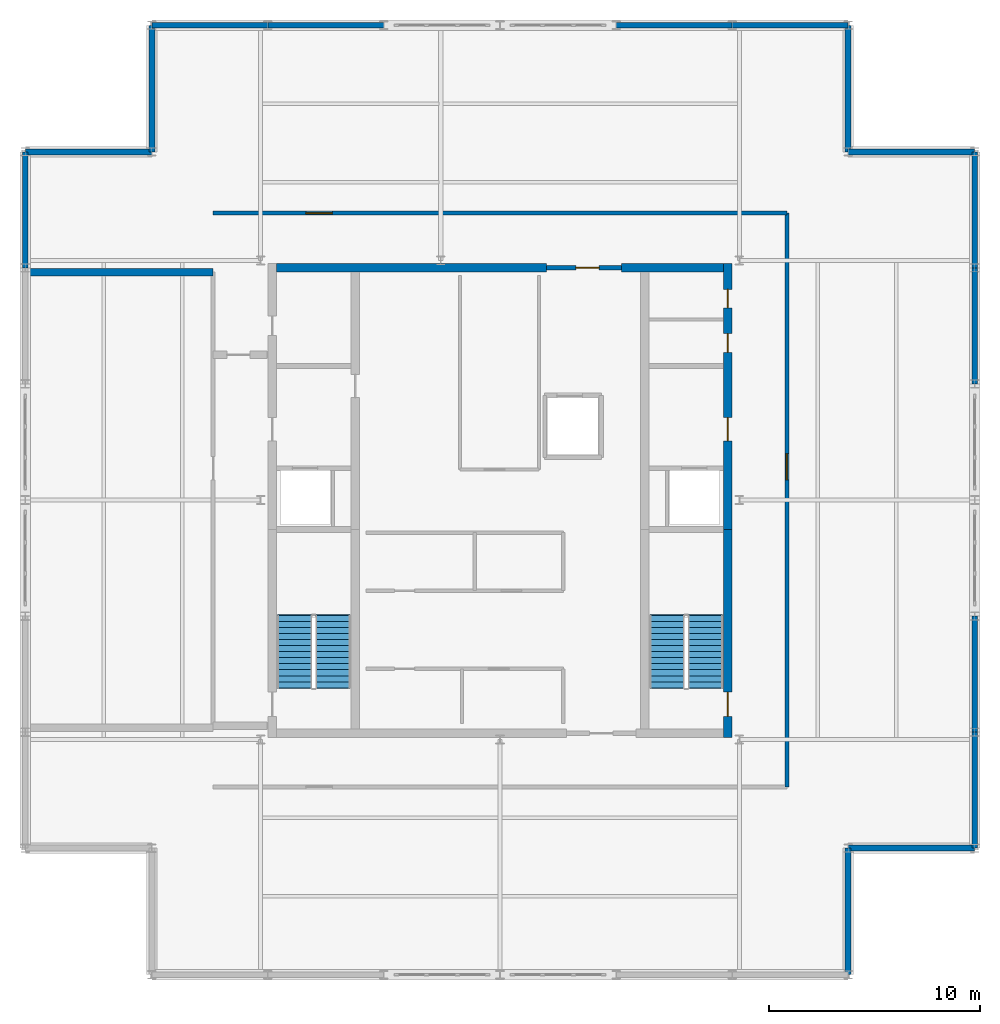
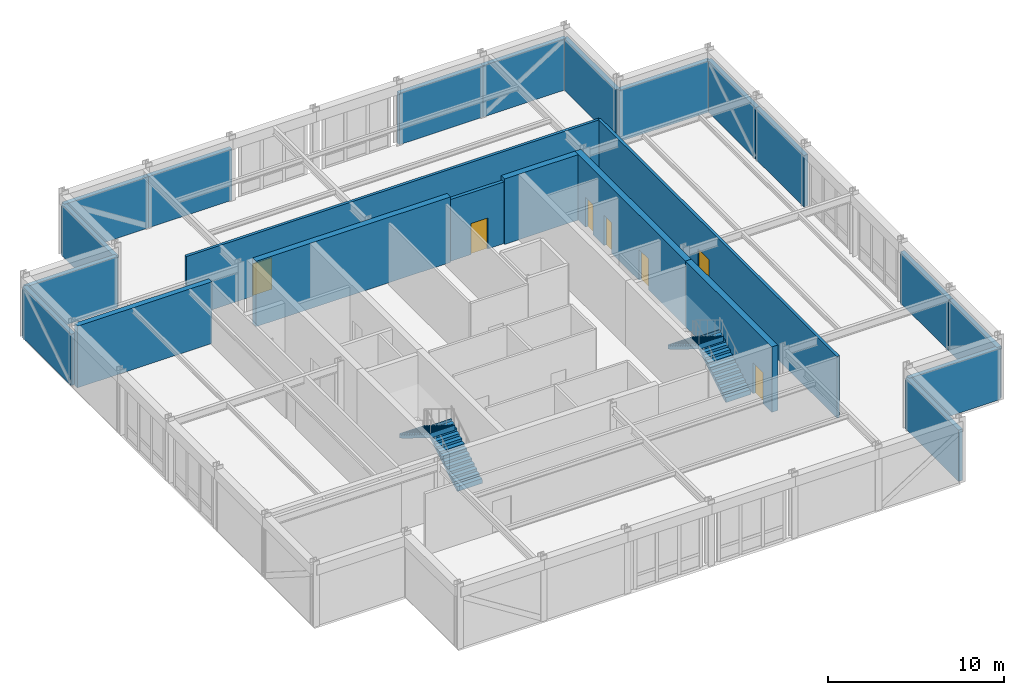
# One storey, part 8 of 9: 23 walls, 7 doors, 4 stair flights, 7 openings, 2 elements without a shape of their own.
"""IFC4 building model written with IfcOpenShell, lengths in metres."""

from ifc_helpers import new_model, si_unit, direction, frame, frame_2d, origin, place, context, subcontext, project, spatial, polyline, rectangle, outline, extrude, material, layer, layer_set, type_object, element, fill, aggregate, save


model = new_model("IFC4")

# Units and contexts
model_context = context("Model", 3, precision=1e-05, world=origin(), true_north=direction((0.0, 1.0)))
body_context = subcontext(model_context, "Body", "Model", "MODEL_VIEW")
ifc_project = project(units=[si_unit("LENGTHUNIT", "METRE"), si_unit("AREAUNIT", "SQUARE_METRE"), si_unit("VOLUMEUNIT", "CUBIC_METRE"), si_unit("PLANEANGLEUNIT", "RADIAN"), si_unit("MASSUNIT", "GRAM", prefix="KILO")], contexts=[model_context])

# Site, building, storey
site_placement = place(None, origin())
site = spatial("IfcSite", under=ifc_project, at=site_placement, CompositionType="ELEMENT")
building_placement = place(site_placement, origin())
building = spatial("IfcBuilding", under=site, at=building_placement, Name="Nhamokura Convention Tower", CompositionType="ELEMENT")
storey_placement = place(building_placement, frame((0.0, 0.0, 322.35009765625)))
storey = spatial("IfcBuildingStorey", under=building, at=storey_placement, Name="L79", CompositionType="ELEMENT", Elevation=322.35009765625)

# Walls
ifc_material_1 = material(Name="Bronze-pigmented precast concrete C45/55", Category="concrete")
ifc_layer_1 = layer(ifc_material_1, 0.280029296875)
ifc_layer_set_1 = layer_set([ifc_layer_1], Name="BronzePrecastSpandrel_280")
wall_type_1 = type_object("IfcWallType", Name="BronzePrecastSpandrel_280", PredefinedType="USERDEFINED", material=ifc_layer_set_1)
for number, where, z_axis, x_axis, name in (
    (1, (15.5, 54.5, 0.0), (0.0, 0.0, 1.0), (1.0, 0.0, 0.0), "L79 Crown Wall NORTH 0"),
    (2, (21.0, 54.5, 0.0), (0.0, 0.0, 1.0), (1.0, 0.0, 0.0), "L79 Crown Wall NORTH 1"),
    (3, (37.5, 54.5, 0.0), (0.0, 0.0, 1.0), (1.0, 0.0, 0.0), "L79 Crown Wall NORTH 4"),
    (4, (43.0, 54.5, 0.0), (0.0, 0.0, 1.0), (1.0, 0.0, 0.0), "L79 Crown Wall NORTH 5"),
    (5, (9.5, 43.0, 0.0), (0.0, 0.0, 1.0), (0.0, 1.0, 0.0), "L79 Crown Wall WEST 5"),
    (6, (54.5, 21.0, 0.0), (0.0, 0.0, 1.0), (0.0, -1.0, 0.0), "L79 Crown Wall EAST 0"),
    (7, (54.5, 26.5, 0.0), (0.0, 0.0, 1.0), (0.0, -1.0, 0.0), "L79 Crown Wall EAST 1"),
    (8, (54.5, 43.0, 0.0), (0.0, 0.0, 1.0), (0.0, -1.0, 0.0), "L79 Crown Wall EAST 4"),
    (9, (54.5, 48.5, 0.0), (0.0, 0.0, 1.0), (0.0, -1.0, 0.0), "L79 Crown Wall EAST 5"),
):
    element("IfcWall", number, at=place(storey_placement, frame(where, z_axis=z_axis, x_axis=x_axis)), inside=storey, type_object=wall_type_1, Name=name, ObjectType="SPANDREL_WALL", PredefinedType="USERDEFINED", context=body_context, shape_type="SweptSolid", body=[
        extrude(rectangle(XDim=5.5, YDim=0.280029296875, at=frame_2d((2.75, 0.0))), origin(), (0.0, 0.0, 1.0), 3.56982421875),
    ])
for number, where, z_axis, x_axis, name in (
    (10, (48.5, 15.5, 0.0), (0.0, 0.0, 1.0), (0.0, -1.0, 0.0), "L79 Crown Notch Wall SE1"),
    (11, (54.5, 15.5, 0.0), (0.0, 0.0, 1.0), (-1.0, 0.0, 0.0), "L79 Crown Notch Wall SE2"),
    (12, (48.5, 48.5, 0.0), (0.0, 0.0, 1.0), (1.0, 0.0, 0.0), "L79 Crown Notch Wall NE1"),
    (13, (48.5, 54.5, 0.0), (0.0, 0.0, 1.0), (0.0, -1.0, 0.0), "L79 Crown Notch Wall NE2"),
    (14, (15.5, 48.5, 0.0), (0.0, 0.0, 1.0), (0.0, 1.0, 0.0), "L79 Crown Notch Wall NW1"),
    (15, (9.5, 48.5, 0.0), (0.0, 0.0, 1.0), (1.0, 0.0, 0.0), "L79 Crown Notch Wall NW2"),
):
    element("IfcWall", number, at=place(storey_placement, frame(where, z_axis=z_axis, x_axis=x_axis)), inside=storey, type_object=wall_type_1, Name=name, ObjectType="SPANDREL_WALL", PredefinedType="USERDEFINED", context=body_context, shape_type="SweptSolid", body=[
        extrude(rectangle(XDim=6.0, YDim=0.280029296875, at=frame_2d((3.0, 0.0))), origin(), (0.0, 0.0, 1.0), 3.56982421875),
    ])

# Wall, opening, door
ifc_material_2 = material(Name="Concrete C50/60", Category="concrete")
ifc_layer_2 = layer(ifc_material_2, 0.39990234375)
ifc_layer_set_2 = layer_set([ifc_layer_2], Name="CoreShearWall_400")
wall_type_2 = type_object("IfcWallType", Name="CoreShearWall_400", PredefinedType="SHEAR", material=ifc_layer_set_2)
wall_1_placement = place(storey_placement, frame((42.7900390625, 20.75, 0.0), z_axis=(0.0, 0.0, 1.0), x_axis=(0.0, 1.0, 0.0)))
wall_1 = element("IfcWall", 16, at=wall_1_placement, inside=storey, type_object=wall_type_2, Name="L79 Core Shear Wall CW-ES", PredefinedType="SHEAR", context=body_context, shape_type="SweptSolid", body=[
    extrude(rectangle(XDim=9.85009765625, YDim=0.39990234375, at=frame_2d((4.925048828125, 0.0))), origin(), (0.0, 0.0, 1.0), 4.5498046875),
])
opening_1_placement = place(wall_1_placement, frame((1.0, 0.0, 0.0)))
opening_1 = element("IfcOpeningElement", 17, at=opening_1_placement, cuts=wall_1, Name="Opening D-04", PredefinedType="OPENING", context=body_context, shape_type="SweptSolid", body=[
    extrude(rectangle(XDim=1.14990234375, YDim=2.14990234375, at=frame_2d((0.574951171875, 1.074951171875))), frame((0.0, 0.2099609375, 0.0), z_axis=(0.0, -1.0, 0.0), x_axis=(1.0, 0.0, 0.0)), (0.0, 0.0, 1.0), 0.419921875),
])
ifc_material_3 = material(Name="Fire-rated steel door", Category="steel")
door_type_1 = type_object("IfcDoorType", Name="StairSmokeDoor_1150", OperationType="NOTDEFINED", PredefinedType="DOOR", material=ifc_material_3)
door_1_placement = place(opening_1_placement, origin())
door_1 = element("IfcDoor", 18, at=door_1_placement, inside=storey, type_object=door_type_1, Name="L79 Core Door INT-L79-D-ST02", OperationType="SINGLE_SWING_RIGHT", OverallHeight=2.14990234375, OverallWidth=1.14990234375, PredefinedType="DOOR", context=body_context, shape_type="SweptSolid", body=[
    extrude(rectangle(XDim=1.14990234375, YDim=2.14990234375, at=frame_2d((0.574951171875, 1.074951171875))), frame((0.0, 0.02490234375, 0.0), z_axis=(0.0, -1.0, 0.0), x_axis=(1.0, 0.0, 0.0)), (0.0, 0.0, 1.0), 0.050048828125),
])
fill(opening_1, door_1)

# Wall, openings, doors
wall_2_placement = place(storey_placement, frame((42.7900390625, 30.60009765625, 0.0), z_axis=(0.0, 0.0, 1.0), x_axis=(0.0, 1.0, 0.0)))
wall_2 = element("IfcWall", 19, at=wall_2_placement, inside=storey, type_object=wall_type_2, Name="L79 Core Shear Wall CW-EN", PredefinedType="SHEAR", context=body_context, shape_type="SweptSolid", body=[
    extrude(rectangle(XDim=12.599853515625, YDim=0.39990234375, at=frame_2d((6.2998046875, 0.0))), origin(), (0.0, 0.0, 1.0), 4.5498046875),
])
opening_2_placement = place(wall_2_placement, frame((4.199951171875, 0.0, 0.0)))
opening_2 = element("IfcOpeningElement", 20, at=opening_2_placement, cuts=wall_2, Name="Opening D-05", PredefinedType="OPENING", context=body_context, shape_type="SweptSolid", body=[
    extrude(rectangle(XDim=1.10009765625, YDim=2.14990234375, at=frame_2d((0.550048828125, 1.074951171875))), frame((0.0, 0.2099609375, 0.0), z_axis=(0.0, -1.0, 0.0), x_axis=(1.0, 0.0, 0.0)), (0.0, 0.0, 1.0), 0.419921875),
])
opening_3_placement = place(wall_2_placement, frame((8.39990234375, 0.0, 0.0)))
opening_3 = element("IfcOpeningElement", 21, at=opening_3_placement, cuts=wall_2, Name="Opening D-11", PredefinedType="OPENING", context=body_context, shape_type="SweptSolid", body=[
    extrude(rectangle(XDim=0.8798828125, YDim=2.10009765625, at=frame_2d((0.43994140625, 1.050048828125))), frame((0.0, 0.2099609375, 0.0), z_axis=(0.0, -1.0, 0.0), x_axis=(1.0, 0.0, 0.0)), (0.0, 0.0, 1.0), 0.419921875),
])
opening_4_placement = place(wall_2_placement, frame((10.5, 0.0, 0.0)))
opening_4 = element("IfcOpeningElement", 22, at=opening_4_placement, cuts=wall_2, Name="Opening D-11", PredefinedType="OPENING", context=body_context, shape_type="SweptSolid", body=[
    extrude(rectangle(XDim=0.8798828125, YDim=2.10009765625, at=frame_2d((0.43994140625, 1.050048828125))), frame((0.0, 0.2099609375, 0.0), z_axis=(0.0, -1.0, 0.0), x_axis=(1.0, 0.0, 0.0)), (0.0, 0.0, 1.0), 0.419921875),
])
ifc_material_4 = material(Name="Solid oak hardwood", Category="wood")
door_type_2 = type_object("IfcDoorType", Name="BathroomDoor_880", OperationType="NOTDEFINED", PredefinedType="DOOR", material=ifc_material_4)
door_2_placement = place(opening_3_placement, origin())
door_2 = element("IfcDoor", 23, at=door_2_placement, inside=storey, type_object=door_type_2, Name="L79 Core Door INT-L79-D-MWC", OperationType="SINGLE_SWING_RIGHT", OverallHeight=2.10009765625, OverallWidth=0.8798828125, PredefinedType="DOOR", context=body_context, shape_type="SweptSolid", body=[
    extrude(rectangle(XDim=0.8798828125, YDim=2.10009765625, at=frame_2d((0.43994140625, 1.050048828125))), frame((0.0, 0.02490234375, 0.0), z_axis=(0.0, -1.0, 0.0), x_axis=(1.0, 0.0, 0.0)), (0.0, 0.0, 1.0), 0.050048828125),
])
fill(opening_3, door_2)
door_3_placement = place(opening_4_placement, origin())
door_3 = element("IfcDoor", 24, at=door_3_placement, inside=storey, type_object=door_type_2, Name="L79 Core Door INT-L79-D-FWC", OperationType="SINGLE_SWING_LEFT", OverallHeight=2.10009765625, OverallWidth=0.8798828125, PredefinedType="DOOR", context=body_context, shape_type="SweptSolid", body=[
    extrude(rectangle(XDim=0.8798828125, YDim=2.10009765625, at=frame_2d((0.43994140625, 1.050048828125))), frame((0.0, 0.02490234375, 0.0), z_axis=(0.0, -1.0, 0.0), x_axis=(1.0, 0.0, 0.0)), (0.0, 0.0, 1.0), 0.050048828125),
])
fill(opening_4, door_3)
ifc_material_5 = material(Name="Fire-rated steel door", Category="steel")
door_type_3 = type_object("IfcDoorType", Name="FireLobbyDoor_1100", OperationType="NOTDEFINED", PredefinedType="DOOR", material=ifc_material_5)
door_4_placement = place(opening_2_placement, origin())
door_4 = element("IfcDoor", 25, at=door_4_placement, inside=storey, type_object=door_type_3, Name="L79 Core Door INT-L79-D-FFLE", OperationType="SINGLE_SWING_LEFT", OverallHeight=2.14990234375, OverallWidth=1.10009765625, PredefinedType="DOOR", context=body_context, shape_type="SweptSolid", body=[
    extrude(rectangle(XDim=1.10009765625, YDim=2.14990234375, at=frame_2d((0.550048828125, 1.074951171875))), frame((0.0, 0.02490234375, 0.0), z_axis=(0.0, -1.0, 0.0), x_axis=(1.0, 0.0, 0.0)), (0.0, 0.0, 1.0), 0.050048828125),
])
fill(opening_2, door_4)

# Walls
wall_3_placement = place(storey_placement, frame((21.409912109375, 43.0, 0.0), z_axis=(0.0, 0.0, 1.0), x_axis=(1.0, 0.0, 0.0)))
element("IfcWall", 26, at=wall_3_placement, inside=storey, type_object=wall_type_2, Name="L79 Core Shear Wall CW-N1", PredefinedType="SHEAR", context=body_context, shape_type="SweptSolid", body=[
    extrude(rectangle(XDim=12.7900390625, YDim=0.39990234375, at=frame_2d((6.39501953125, 0.0))), origin(), (0.0, 0.0, 1.0), 4.5498046875),
])
wall_4_placement = place(storey_placement, frame((37.75, 43.0, 0.0), z_axis=(0.0, 0.0, 1.0), x_axis=(1.0, 0.0, 0.0)))
element("IfcWall", 27, at=wall_4_placement, inside=storey, type_object=wall_type_2, Name="L79 Core Shear Wall CW-N2", PredefinedType="SHEAR", context=body_context, shape_type="SweptSolid", body=[
    extrude(rectangle(XDim=4.840087890625, YDim=0.39990234375, at=frame_2d((2.419921875, 0.0))), origin(), (0.0, 0.0, 1.0), 4.5498046875),
])

# Wall, opening, door
ifc_material_6 = material(Name="Fire-rated gypsum and masonry partition", Category="masonry")
ifc_layer_3 = layer(ifc_material_6, 0.179931640625)
ifc_layer_set_3 = layer_set([ifc_layer_3], Name="CorridorRatedWall_180")
wall_type_3 = type_object("IfcWallType", Name="CorridorRatedWall_180", PredefinedType="STANDARD", material=ifc_layer_set_3)
wall_5_placement = place(storey_placement, frame((18.39990234375, 45.60009765625, 0.0), z_axis=(0.0, 0.0, 1.0), x_axis=(1.0, 0.0, 0.0)))
wall_5 = element("IfcWall", 28, at=wall_5_placement, inside=storey, type_object=wall_type_3, Name="L79 Wall INT-L79-CW-N00", PredefinedType="STANDARD", context=body_context, shape_type="SweptSolid", body=[
    extrude(rectangle(XDim=27.2001953125, YDim=0.179931640625, at=frame_2d((13.60009765625, 0.0))), origin(), (0.0, 0.0, 1.0), 4.289794921875),
])
opening_5_placement = place(wall_5_placement, frame((4.39990234375, 0.0, 0.0)))
opening_5 = element("IfcOpeningElement", 29, at=opening_5_placement, cuts=wall_5, Name="Opening D-12", PredefinedType="OPENING", context=body_context, shape_type="SweptSolid", body=[
    extrude(rectangle(XDim=1.25, YDim=2.199951171875, at=frame_2d((0.625, 1.10009765625))), frame((0.0, 0.099853515625, 0.0), z_axis=(0.0, -1.0, 0.0), x_axis=(1.0, 0.0, 0.0)), (0.0, 0.0, 1.0), 0.199951171875),
])
ifc_material_7 = material(Name="Fire-rated steel door", Category="steel")
door_type_4 = type_object("IfcDoorType", Name="PlantServiceDoor_1250", OperationType="NOTDEFINED", PredefinedType="DOOR", material=ifc_material_7)
door_5_placement = place(opening_5_placement, origin())
door_5 = element("IfcDoor", 30, at=door_5_placement, inside=storey, type_object=door_type_4, Name="L79 High-Altitude AHU Plant N01 Door", OperationType="SINGLE_SWING_LEFT", OverallHeight=2.199951171875, OverallWidth=1.25, PredefinedType="DOOR", context=body_context, shape_type="SweptSolid", body=[
    extrude(rectangle(XDim=1.25, YDim=2.199951171875, at=frame_2d((0.625, 1.10009765625))), frame((0.0, 0.02490234375, 0.0), z_axis=(0.0, -1.0, 0.0), x_axis=(1.0, 0.0, 0.0)), (0.0, 0.0, 1.0), 0.050048828125),
])
fill(opening_5, door_5)

wall_6_placement = place(storey_placement, frame((45.60009765625, 18.39990234375, 0.0), z_axis=(0.0, 0.0, 1.0), x_axis=(0.0, 1.0, 0.0)))
wall_6 = element("IfcWall", 31, at=wall_6_placement, inside=storey, type_object=wall_type_3, Name="L79 Wall INT-L79-CW-E00", PredefinedType="STANDARD", context=body_context, shape_type="SweptSolid", body=[
    extrude(rectangle(XDim=27.2001953125, YDim=0.179931640625, at=frame_2d((13.60009765625, 0.0))), origin(), (0.0, 0.0, 1.0), 4.289794921875),
])
opening_6_placement = place(wall_6_placement, frame((14.550048828125, 0.0, 0.0)))
opening_6 = element("IfcOpeningElement", 32, at=opening_6_placement, cuts=wall_6, Name="Opening D-12", PredefinedType="OPENING", context=body_context, shape_type="SweptSolid", body=[
    extrude(rectangle(XDim=1.25, YDim=2.199951171875, at=frame_2d((0.625, 1.10009765625))), frame((0.0, 0.099853515625, 0.0), z_axis=(0.0, -1.0, 0.0), x_axis=(1.0, 0.0, 0.0)), (0.0, 0.0, 1.0), 0.199951171875),
])
door_6_placement = place(opening_6_placement, origin())
door_6 = element("IfcDoor", 33, at=door_6_placement, inside=storey, type_object=door_type_4, Name="L79 Chilled-Water Heat Exchanger Plant E01 Door", OperationType="SINGLE_SWING_LEFT", OverallHeight=2.199951171875, OverallWidth=1.25, PredefinedType="DOOR", context=body_context, shape_type="SweptSolid", body=[
    extrude(rectangle(XDim=1.25, YDim=2.199951171875, at=frame_2d((0.625, 1.10009765625))), frame((0.0, 0.02490234375, 0.0), z_axis=(0.0, -1.0, 0.0), x_axis=(1.0, 0.0, 0.0)), (0.0, 0.0, 1.0), 0.050048828125),
])
fill(opening_6, door_6)

ifc_material_8 = material(Name="Autoclaved concrete blockwork", Category="masonry")
ifc_layer_4 = layer(ifc_material_8, 0.219970703125)
ifc_layer_set_4 = layer_set([ifc_layer_4], Name="FireLobbyWall_220")
wall_type_4 = type_object("IfcWallType", Name="FireLobbyWall_220", PredefinedType="STANDARD", material=ifc_layer_set_4)
wall_7_placement = place(storey_placement, frame((34.199951171875, 43.0, 0.0), z_axis=(0.0, 0.0, 1.0), x_axis=(1.0, 0.0, 0.0)))
wall_7 = element("IfcWall", 34, at=wall_7_placement, inside=storey, type_object=wall_type_4, Name="L79 Wall INT-L79-CPORT-N", PredefinedType="STANDARD", context=body_context, shape_type="SweptSolid", body=[
    extrude(rectangle(XDim=3.550048828125, YDim=0.219970703125, at=frame_2d((1.77490234375, 0.0))), origin(), (0.0, 0.0, 1.0), 4.289794921875),
])
opening_7_placement = place(wall_7_placement, frame((1.39990234375, 0.0, 0.0)))
opening_7 = element("IfcOpeningElement", 35, at=opening_7_placement, cuts=wall_7, Name="Opening D-05", PredefinedType="OPENING", context=body_context, shape_type="SweptSolid", body=[
    extrude(rectangle(XDim=1.10009765625, YDim=2.14990234375, at=frame_2d((0.550048828125, 1.074951171875))), frame((0.0, 0.119873046875, 0.0), z_axis=(0.0, -1.0, 0.0), x_axis=(1.0, 0.0, 0.0)), (0.0, 0.0, 1.0), 0.239990234375),
])
door_7_placement = place(opening_7_placement, origin())
door_7 = element("IfcDoor", 36, at=door_7_placement, inside=storey, type_object=door_type_3, Name="L79 North Core Lobby Portal Door", OperationType="SINGLE_SWING_RIGHT", OverallHeight=2.14990234375, OverallWidth=1.10009765625, PredefinedType="DOOR", context=body_context, shape_type="SweptSolid", body=[
    extrude(rectangle(XDim=1.10009765625, YDim=2.14990234375, at=frame_2d((0.550048828125, 1.074951171875))), frame((0.0, 0.02490234375, 0.0), z_axis=(0.0, -1.0, 0.0), x_axis=(1.0, 0.0, 0.0)), (0.0, 0.0, 1.0), 0.050048828125),
])
fill(opening_7, door_7)

# Wall
ifc_material_9 = material(Name="Concrete C50/60", Category="concrete")
ifc_layer_5 = layer(ifc_material_9, 0.35009765625)
ifc_layer_set_5 = layer_set([ifc_layer_5], Name="FirewallPlant_350")
wall_type_5 = type_object("IfcWallType", Name="FirewallPlant_350", PredefinedType="STANDARD", material=ifc_layer_set_5)
wall_8_placement = place(storey_placement, frame((9.56005859375, 42.800048828125, 0.0), z_axis=(0.0, 0.0, 1.0), x_axis=(1.0, 0.0, 0.0)))
element("IfcWall", 37, at=wall_8_placement, inside=storey, type_object=wall_type_5, Name="L79 Wall INT-L79-RWT-W", PredefinedType="STANDARD", context=body_context, shape_type="SweptSolid", body=[
    extrude(rectangle(XDim=8.83984375, YDim=0.35009765625, at=frame_2d((4.419921875, 0.0))), origin(), (0.0, 0.0, 1.0), 4.289794921875),
])

# Stair, stair flights
ifc_material_10 = material(Name="Concrete C40/50", Category="concrete")
stair_type = type_object("IfcStairType", Name="TowerCoreStair_1650", PredefinedType="HALF_TURN_STAIR", material=ifc_material_10)
stair_1_placement = place(storey_placement, origin())
stair_1 = element("IfcStair", 38, at=stair_1_placement, inside=storey, type_object=stair_type, Name="L79 West Core Smokeproof Stair ST-01", PredefinedType="HALF_TURN_STAIR")
ifc_material_11 = material(Name="Concrete C40/50", Category="concrete")
stair_flight_type = type_object("IfcStairFlightType", Name="TowerCoreStair_1650_Flight", PredefinedType="STRAIGHT", material=ifc_material_11)
stair_flight_1_placement = place(storey_placement, frame((24.074951171875, 23.10009765625, 0.0), z_axis=(0.0, 0.0, 1.0), x_axis=(0.0, 1.0, 0.0)))
stair_flight_1 = element("IfcStairFlight", 39, at=stair_flight_1_placement, type_object=stair_flight_type, Name="ST-01 flight 1", NumberOfRisers=13, NumberOfTreads=12, PredefinedType="STRAIGHT", RiserHeight=0.175, TreadLength=0.285, context=body_context, shape_type="SweptSolid", body=[
    extrude(outline(polyline([(-0.0419921875, 0.0), (0.0, 0.175048828125), (0.284912109375, 0.175048828125), (0.284912109375, 0.35009765625), (0.570068359375, 0.35009765625), (0.570068359375, 0.52490234375), (0.85498046875, 0.52490234375), (0.85498046875, 0.699951171875), (1.139892578125, 0.699951171875), (1.139892578125, 0.875), (1.425048828125, 0.875), (1.425048828125, 1.050048828125), (1.7099609375, 1.050048828125), (1.7099609375, 1.22509765625), (1.9951171875, 1.22509765625), (1.9951171875, 1.39990234375), (2.280029296875, 1.39990234375), (2.280029296875, 1.574951171875), (2.56494140625, 1.574951171875), (2.56494140625, 1.75), (2.85009765625, 1.75), (2.85009765625, 1.925048828125), (3.135009765625, 1.925048828125), (3.135009765625, 2.10009765625), (3.419921875, 2.10009765625), (3.419921875, 2.27490234375), (3.4619140625, 2.27490234375), (3.4619140625, 1.924072265625), (3.419921875, 1.924072265625), (0.286376953125, 0.0), (0.02001953125, -0.1298828125), (-0.0419921875, -0.1298828125), (-0.0419921875, 0.0)])), frame((0.0, 0.824951171875, 0.0), z_axis=(0.0, -1.0, 0.0), x_axis=(1.0, 0.0, 0.0)), (0.0, 0.0, 1.0), 1.64990234375),
])
stair_flight_2_placement = place(storey_placement, frame((22.27490234375, 26.52001953125, 2.27490234375), z_axis=(0.0, 0.0, 1.0), x_axis=(0.0, -1.0, 0.0)))
stair_flight_2 = element("IfcStairFlight", 40, at=stair_flight_2_placement, type_object=stair_flight_type, Name="ST-01 flight 2", NumberOfRisers=13, NumberOfTreads=12, PredefinedType="STRAIGHT", RiserHeight=0.175, TreadLength=0.285, context=body_context, shape_type="SweptSolid", body=[
    extrude(outline(polyline([(-0.0419921875, 0.0), (0.0, 0.175048828125), (0.284912109375, 0.175048828125), (0.284912109375, 0.35009765625), (0.570068359375, 0.35009765625), (0.570068359375, 0.52490234375), (0.85498046875, 0.52490234375), (0.85498046875, 0.699951171875), (1.139892578125, 0.699951171875), (1.139892578125, 0.875), (1.425048828125, 0.875), (1.425048828125, 1.050048828125), (1.7099609375, 1.050048828125), (1.7099609375, 1.22509765625), (1.9951171875, 1.22509765625), (1.9951171875, 1.39990234375), (2.280029296875, 1.39990234375), (2.280029296875, 1.574951171875), (2.56494140625, 1.574951171875), (2.56494140625, 1.75), (2.85009765625, 1.75), (2.85009765625, 1.925048828125), (3.135009765625, 1.925048828125), (3.135009765625, 2.10009765625), (3.419921875, 2.10009765625), (3.419921875, 2.27490234375), (3.4619140625, 2.27490234375), (3.4619140625, 1.924072265625), (3.419921875, 1.924072265625), (0.286376953125, 0.0), (0.02001953125, -0.1298828125), (-0.0419921875, -0.1298828125), (-0.0419921875, 0.0)])), frame((0.0, 0.824951171875, 0.0), z_axis=(0.0, -1.0, 0.0), x_axis=(1.0, 0.0, 0.0)), (0.0, 0.0, 1.0), 1.64990234375),
])
aggregate(stair_1, [stair_flight_1, stair_flight_2])

stair_2_placement = place(storey_placement, origin())
stair_2 = element("IfcStair", 41, at=stair_2_placement, inside=storey, type_object=stair_type, Name="L79 East Core Smokeproof Stair ST-02", PredefinedType="HALF_TURN_STAIR")
stair_flight_3_placement = place(storey_placement, frame((41.72509765625, 23.10009765625, 0.0), z_axis=(0.0, 0.0, 1.0), x_axis=(0.0, 1.0, 0.0)))
stair_flight_3 = element("IfcStairFlight", 42, at=stair_flight_3_placement, type_object=stair_flight_type, Name="ST-02 flight 1", NumberOfRisers=13, NumberOfTreads=12, PredefinedType="STRAIGHT", RiserHeight=0.175, TreadLength=0.285, context=body_context, shape_type="SweptSolid", body=[
    extrude(outline(polyline([(-0.0419921875, 0.0), (0.0, 0.175048828125), (0.284912109375, 0.175048828125), (0.284912109375, 0.35009765625), (0.570068359375, 0.35009765625), (0.570068359375, 0.52490234375), (0.85498046875, 0.52490234375), (0.85498046875, 0.699951171875), (1.139892578125, 0.699951171875), (1.139892578125, 0.875), (1.425048828125, 0.875), (1.425048828125, 1.050048828125), (1.7099609375, 1.050048828125), (1.7099609375, 1.22509765625), (1.9951171875, 1.22509765625), (1.9951171875, 1.39990234375), (2.280029296875, 1.39990234375), (2.280029296875, 1.574951171875), (2.56494140625, 1.574951171875), (2.56494140625, 1.75), (2.85009765625, 1.75), (2.85009765625, 1.925048828125), (3.135009765625, 1.925048828125), (3.135009765625, 2.10009765625), (3.419921875, 2.10009765625), (3.419921875, 2.27490234375), (3.4619140625, 2.27490234375), (3.4619140625, 1.924072265625), (3.419921875, 1.924072265625), (0.286376953125, 0.0), (0.02001953125, -0.1298828125), (-0.0419921875, -0.1298828125), (-0.0419921875, 0.0)])), frame((0.0, 0.824951171875, 0.0), z_axis=(0.0, -1.0, 0.0), x_axis=(1.0, 0.0, 0.0)), (0.0, 0.0, 1.0), 1.64990234375),
])
stair_flight_4_placement = place(storey_placement, frame((39.925048828125, 26.52001953125, 2.27490234375), z_axis=(0.0, 0.0, 1.0), x_axis=(0.0, -1.0, 0.0)))
stair_flight_4 = element("IfcStairFlight", 43, at=stair_flight_4_placement, type_object=stair_flight_type, Name="ST-02 flight 2", NumberOfRisers=13, NumberOfTreads=12, PredefinedType="STRAIGHT", RiserHeight=0.175, TreadLength=0.285, context=body_context, shape_type="SweptSolid", body=[
    extrude(outline(polyline([(-0.0419921875, 0.0), (0.0, 0.175048828125), (0.284912109375, 0.175048828125), (0.284912109375, 0.35009765625), (0.570068359375, 0.35009765625), (0.570068359375, 0.52490234375), (0.85498046875, 0.52490234375), (0.85498046875, 0.699951171875), (1.139892578125, 0.699951171875), (1.139892578125, 0.875), (1.425048828125, 0.875), (1.425048828125, 1.050048828125), (1.7099609375, 1.050048828125), (1.7099609375, 1.22509765625), (1.9951171875, 1.22509765625), (1.9951171875, 1.39990234375), (2.280029296875, 1.39990234375), (2.280029296875, 1.574951171875), (2.56494140625, 1.574951171875), (2.56494140625, 1.75), (2.85009765625, 1.75), (2.85009765625, 1.925048828125), (3.135009765625, 1.925048828125), (3.135009765625, 2.10009765625), (3.419921875, 2.10009765625), (3.419921875, 2.27490234375), (3.4619140625, 2.27490234375), (3.4619140625, 1.924072265625), (3.419921875, 1.924072265625), (0.286376953125, 0.0), (0.02001953125, -0.1298828125), (-0.0419921875, -0.1298828125), (-0.0419921875, 0.0)])), frame((0.0, 0.824951171875, 0.0), z_axis=(0.0, -1.0, 0.0), x_axis=(1.0, 0.0, 0.0)), (0.0, 0.0, 1.0), 1.64990234375),
])
aggregate(stair_2, [stair_flight_3, stair_flight_4])

save(model, "model.ifc")
